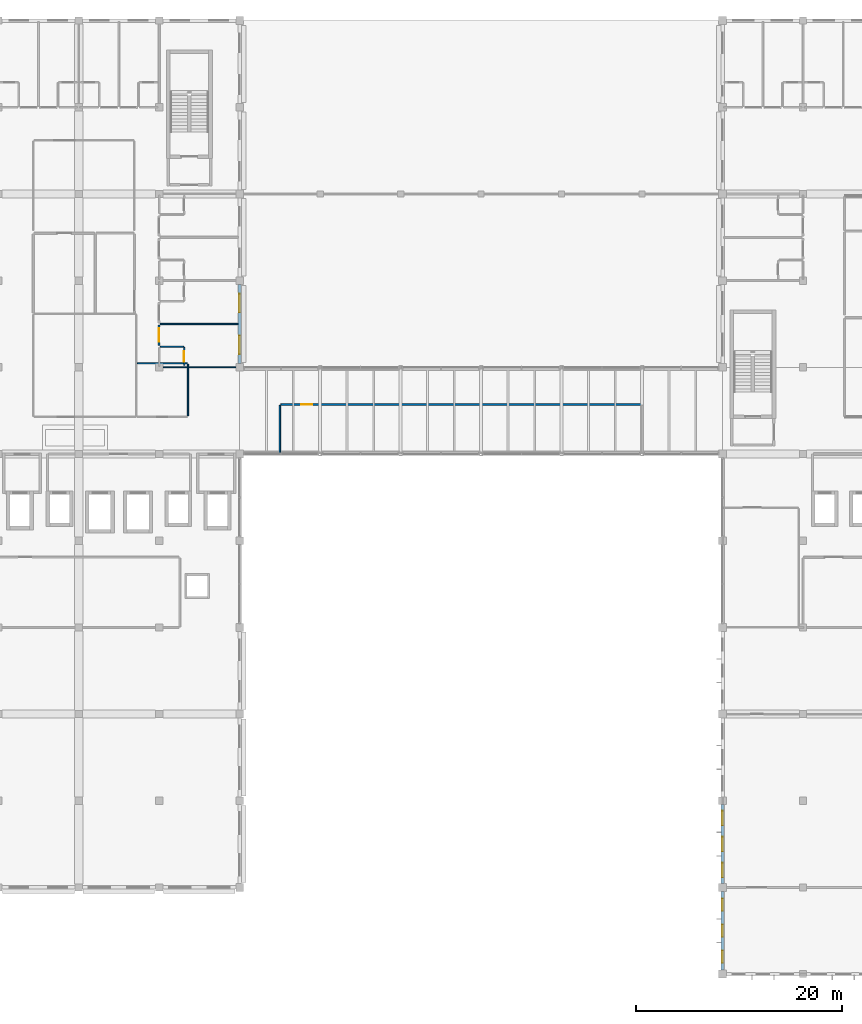
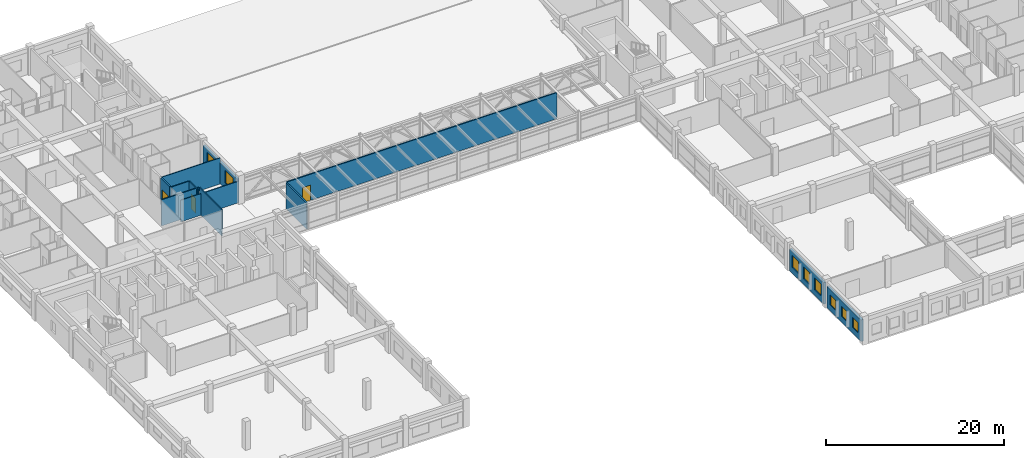
# One storey, part 50 of 72: 12 walls, 8 windows, 3 doors, 11 openings.
"""IFC4 building model written with IfcOpenShell, lengths in metres."""

import ifcopenshell
import ifcopenshell.guid

model = None  # the IFC model being written
_history = None  # IfcOwnerHistory: only IFC2X3 demands one
_inside = {}  # id of a spatial element -> (the spatial element, [elements in it])
_under = {}  # id of a project, library or spatial element -> (it, [spatial elements below it])
_declared = {}  # id of a project -> (the project, [libraries it declares])
_typed = {}  # id of a type object -> (the type object, [elements of that type])
_made_of = {}  # id of a material, layer set ... -> (it, [elements and type objects made of it])


def new_model(schema):
    """Start an empty IFC model of exactly this schema.

    Asked for "IFC4X3", IfcOpenShell would pick the latest addendum, in which some entities
    have other attributes; the version numbers below select the first issue.
    IFC2X3 requires an IfcOwnerHistory on every rooted entity: one is made here for all.
    """
    global model, _history
    if schema == "IFC4X3":
        model = ifcopenshell.file(schema_version=(4, 3, 0, 0))
    else:
        model = ifcopenshell.file(schema=schema)
    _inside.clear()
    _under.clear()
    _declared.clear()
    _typed.clear()
    _made_of.clear()
    _history = None
    if model.schema == "IFC2X3":
        org = make("IfcOrganization", Name="unknown")
        user = make(
            "IfcPersonAndOrganization",
            ThePerson=make("IfcPerson", FamilyName="unknown"),
            TheOrganization=org,
        )
        app = make(
            "IfcApplication",
            ApplicationDeveloper=org,
            Version="unknown",
            ApplicationFullName="unknown",
            ApplicationIdentifier="unknown",
        )
        _history = make(
            "IfcOwnerHistory",
            OwningUser=user,
            OwningApplication=app,
            ChangeAction="ADDED",
            CreationDate=0,
        )
    return model


def make(cls, **values):
    """One entity of the class cls with the attributes given. An attribute that is None is left unset."""
    return model.create_entity(
        cls, **{name: value for name, value in values.items() if value is not None}
    )


def rooted(cls, **values):
    """An entity with a GlobalId (a new one), such as an element, a storey or a relation."""
    return make(cls, GlobalId=ifcopenshell.guid.new(), OwnerHistory=_history, **values)


def si_unit(unit_type, name, prefix=None):
    """IfcSIUnit, for example si_unit("LENGTHUNIT", "METRE", prefix="MILLI")."""
    return make("IfcSIUnit", UnitType=unit_type, Prefix=prefix, Name=name)


def assignment(units):
    """IfcUnitAssignment: the units of a project."""
    return None if units is None else make("IfcUnitAssignment", Units=units)


def point(xyz):
    """IfcCartesianPoint."""
    return None if xyz is None else make("IfcCartesianPoint", Coordinates=xyz)


def direction(xyz):
    """IfcDirection."""
    return None if xyz is None else make("IfcDirection", DirectionRatios=xyz)


def frame(location, z_axis=None, x_axis=None):
    """IfcAxis2Placement3D, a coordinate frame: its origin and axes. An axis left out is left unset."""
    return make(
        "IfcAxis2Placement3D",
        Location=point(location),
        Axis=direction(z_axis),
        RefDirection=direction(x_axis),
    )


def frame_2d(location, x_axis=None):
    """IfcAxis2Placement2D, a coordinate frame in the plane: its origin and x axis."""
    return make(
        "IfcAxis2Placement2D", Location=point(location), RefDirection=direction(x_axis)
    )


def origin():
    """The frame at (0, 0, 0) with its axes left unset."""
    return frame((0.0, 0.0, 0.0))


def place(relative_to, where):
    """IfcLocalPlacement: puts the frame where relative to a parent placement (None: the world)."""
    return make(
        "IfcLocalPlacement", PlacementRelTo=relative_to, RelativePlacement=where
    )


def context(
    kind, dimensions, precision=None, world=None, true_north=None, identifier=None
):
    """IfcGeometricRepresentationContext, for example the 3D "Model" context."""
    return make(
        "IfcGeometricRepresentationContext",
        ContextIdentifier=identifier,
        ContextType=kind,
        CoordinateSpaceDimension=dimensions,
        Precision=precision,
        WorldCoordinateSystem=world,
        TrueNorth=true_north,
    )


def subcontext(parent, identifier, kind, view, scale=None):
    """IfcGeometricRepresentationSubContext, for example "Body" below "Model"."""
    return make(
        "IfcGeometricRepresentationSubContext",
        ContextIdentifier=identifier,
        ContextType=kind,
        ParentContext=parent,
        TargetScale=scale,
        TargetView=view,
    )


def project(units=None, contexts=None):
    """IfcProject with its units and contexts."""
    return rooted(
        "IfcProject",
        Name="project",
        RepresentationContexts=contexts,
        UnitsInContext=assignment(units),
    )


def spatial(cls, under=None, at=None, **own):
    """A site, building, storey or space (cls), placed at a placement, below another one or the project."""
    s = rooted(cls, ObjectPlacement=at, **own)
    if under is not None:
        _under.setdefault(under.id(), (under, []))[1].append(s)
    return s


def profile(cls, at=None, kind="AREA", **sizes):
    """A parametric profile (cls). Its sizes go by their IFC names, for example OverallWidth=200.0."""
    return make(cls, ProfileType=kind, Position=at, **sizes)


def rectangle(**sizes):
    """IfcRectangleProfileDef."""
    return profile("IfcRectangleProfileDef", **sizes)


def extrude(swept, where, along, depth):
    """IfcExtrudedAreaSolid: the profile swept, set in the frame where, extruded along a direction by depth."""
    return make(
        "IfcExtrudedAreaSolid",
        SweptArea=swept,
        Position=where,
        ExtrudedDirection=direction(along),
        Depth=depth,
    )


def shape(context_of_items, identifier, shape_type, items):
    """IfcShapeRepresentation: the items that make up one representation, for example the "Body"."""
    return make(
        "IfcShapeRepresentation",
        ContextOfItems=context_of_items,
        RepresentationIdentifier=identifier,
        RepresentationType=shape_type,
        Items=items,
    )


def material(Name=None, Category=None):
    """IfcMaterial."""
    return make("IfcMaterial", Name=Name, Category=Category)


def layer(
    of_material, thickness, ventilated=None, Name=None, Category=None, Priority=None
):
    """IfcMaterialLayer: one layer of a wall or slab, of a material (None: an air gap)."""
    return make(
        "IfcMaterialLayer",
        Material=of_material,
        LayerThickness=thickness,
        IsVentilated=ventilated,
        Name=Name,
        Category=Category,
        Priority=Priority,
    )


def layer_set(layers, Name=None):
    """IfcMaterialLayerSet."""
    return make("IfcMaterialLayerSet", MaterialLayers=layers, LayerSetName=Name)


def made_of(thing, what):
    """Note that an element or type object is made of a material, layer set ...; save() writes the relation."""
    if what is not None:
        _made_of.setdefault(what.id(), (what, []))[1].append(thing)
    return thing


def type_object(cls, material=None, **own):
    """A type object (cls), such as IfcWallType, which elements share."""
    return made_of(rooted(cls, **own), material)


def element(
    cls,
    number,
    at=None,
    inside=None,
    cuts=None,
    type_object=None,
    material=None,
    context=None,
    identifier="Body",
    shape_type=None,
    held_by="IfcProductDefinitionShape",
    body=None,
    shapes=None,
    **own,
):
    """One element of the class cls, such as IfcWall. Its Tag is "e" and its number.

    at: its placement. inside: the storey or other place that contains it. cuts: it is an
    opening in that element (IfcRelVoidsElement). A single representation is given by context,
    identifier, shape_type and body (its items); several are given by shapes. held_by: the class
    of the entity that holds the representations. save() writes the other relations.
    """
    e = rooted(cls, Tag="e%d" % number, ObjectPlacement=at, **own)
    if body is not None:
        shapes = [shape(context, identifier, shape_type, body)]
    if shapes is not None:
        e.Representation = make(held_by, Representations=shapes)
    if inside is not None:
        _inside.setdefault(inside.id(), (inside, []))[1].append(e)
    if cuts is not None:
        rooted(
            "IfcRelVoidsElement", RelatingBuildingElement=cuts, RelatedOpeningElement=e
        )
    if type_object is not None:
        _typed.setdefault(type_object.id(), (type_object, []))[1].append(e)
    return made_of(e, material)


def fill(opening, filler):
    """IfcRelFillsElement: the door or window that sits in an opening."""
    return rooted(
        "IfcRelFillsElement",
        RelatingOpeningElement=opening,
        RelatedBuildingElement=filler,
    )


def aggregate(whole, parts):
    """IfcRelAggregates: a whole, such as a stair, and the parts it consists of."""
    return rooted("IfcRelAggregates", RelatingObject=whole, RelatedObjects=parts)


def save(model, path):
    """Write the relations noted so far, then the file.

    IfcRelAggregates (storeys below a building ...), IfcRelContainedInSpatialStructure (elements
    in a storey), IfcRelDefinesByType, IfcRelAssociatesMaterial and IfcRelDeclares: one each for
    every whole, place, type object, material and project.
    """
    for whole, parts in _under.values():
        aggregate(whole, parts)
    for where, things in _inside.values():
        rooted(
            "IfcRelContainedInSpatialStructure",
            RelatedElements=things,
            RelatingStructure=where,
        )
    for kind, things in _typed.values():
        rooted("IfcRelDefinesByType", RelatedObjects=things, RelatingType=kind)
    for what, things in _made_of.values():
        rooted("IfcRelAssociatesMaterial", RelatedObjects=things, RelatingMaterial=what)
    for by, libraries in _declared.values():
        rooted("IfcRelDeclares", RelatingContext=by, RelatedDefinitions=libraries)
    model.write(path)


model = new_model("IFC4")

# Units and contexts
model_context = context("Model", 3, precision=1e-05, world=origin(), true_north=direction((0.0, 1.0)))
body_context = subcontext(model_context, "Body", "Model", "MODEL_VIEW")
ifc_project = project(units=[si_unit("LENGTHUNIT", "METRE"), si_unit("AREAUNIT", "SQUARE_METRE"), si_unit("VOLUMEUNIT", "CUBIC_METRE"), si_unit("PLANEANGLEUNIT", "RADIAN"), si_unit("MASSUNIT", "GRAM", prefix="KILO"), si_unit("THERMODYNAMICTEMPERATUREUNIT", "KELVIN"), si_unit("POWERUNIT", "WATT")], contexts=[model_context])

# Site, building, storey
site_placement = place(None, origin())
site = spatial("IfcSite", under=ifc_project, at=site_placement, CompositionType="ELEMENT")
building_placement = place(site_placement, origin())
building = spatial("IfcBuilding", under=site, at=building_placement, Name="Srebrne Nadtorze General Hospital", CompositionType="ELEMENT")
storey_placement = place(building_placement, frame((0.0, 0.0, 22.199951171875)))
storey = spatial("IfcBuildingStorey", under=building, at=storey_placement, Name="L05", CompositionType="ELEMENT", Elevation=22.199951171875)

# Wall, opening, door
ifc_material_1 = material(Name="Gypsum Healthcare Partition")
ifc_layer_1 = layer(ifc_material_1, 0.159912109375)
ifc_layer_set_1 = layer_set([ifc_layer_1], Name="Gypsum Healthcare Partition")
wall_type_1 = type_object("IfcWallType", Name="Clinical partition 160", PredefinedType="PARTITIONING", material=ifc_layer_set_1)
wall_1_placement = place(storey_placement, frame((58.5849609375, 55.199951171875, 0.0), z_axis=(0.0, 0.0, 1.0), x_axis=(1.0, 0.0, 0.0)))
wall_1 = element("IfcWall", 1, at=wall_1_placement, inside=storey, type_object=wall_type_1, Name="Patient Wintergarden Day Lounge wall WL-INT-L05-2175", PredefinedType="PARTITIONING", context=body_context, shape_type="SweptSolid", body=[
    extrude(rectangle(XDim=34.929931640625, YDim=0.159912109375, at=frame_2d((17.46484375, 0.0))), origin(), (0.0, 0.0, 1.0), 3.580078125),
])
opening_1_placement = place(wall_1_placement, frame((1.987060546875, 0.0, 0.0)))
opening_1 = element("IfcOpeningElement", 2, at=opening_1_placement, cuts=wall_1, Name="Opening D-L05-0468", PredefinedType="OPENING", context=body_context, shape_type="SweptSolid", body=[
    extrude(rectangle(XDim=1.050048828125, YDim=2.10009765625, at=frame_2d((0.52490234375, 1.050048828125))), frame((0.0, 0.091796875, 0.0), z_axis=(0.0, -1.0, 0.0), x_axis=(1.0, 0.0, 0.0)), (0.0, 0.0, 1.0), 0.183837890625),
])
ifc_material_2 = material(Name="Anodised Aluminium", Category="aluminium")
door_type_1 = type_object("IfcDoorType", Name="Single leaf door 1050x2100", OperationType="NOTDEFINED", PredefinedType="DOOR", material=ifc_material_2)
door_1_placement = place(opening_1_placement, frame((1.050048828125, 0.0, 0.0), z_axis=(0.0, 0.0, 1.0), x_axis=(-1.0, 0.0, 0.0)))
door_1 = element("IfcDoor", 3, at=door_1_placement, inside=storey, type_object=door_type_1, Name="Patient Wintergarden Day Lounge door D-L05-0468", OperationType="SINGLE_SWING_RIGHT", OverallHeight=2.10009765625, OverallWidth=1.050048828125, PredefinedType="DOOR", context=body_context, shape_type="SweptSolid", body=[
    extrude(rectangle(XDim=1.050048828125, YDim=2.10009765625, at=frame_2d((0.52490234375, 1.050048828125))), frame((0.0, 0.02490234375, 0.0), z_axis=(0.0, -1.0, 0.0), x_axis=(1.0, 0.0, 0.0)), (0.0, 0.0, 1.0), 0.050048828125),
])
fill(opening_1, door_1)

# Wall
wall_2_placement = place(storey_placement, frame((58.5, 50.485107421875, 0.0), z_axis=(0.0, 0.0, 1.0), x_axis=(0.0, 1.0, 0.0)))
element("IfcWall", 4, at=wall_2_placement, inside=storey, type_object=wall_type_1, Name="Patient Wintergarden Day Lounge wall WL-INT-L05-2176", PredefinedType="PARTITIONING", context=body_context, shape_type="SweptSolid", body=[
    extrude(rectangle(XDim=4.6298828125, YDim=0.159912109375, at=frame_2d((2.31494140625, 0.0))), origin(), (0.0, 0.0, 1.0), 3.580078125),
])

# Wall, opening, door
ifc_material_3 = material(Name="Gypsum Healthcare Partition")
ifc_layer_2 = layer(ifc_material_3, 0.199951171875)
ifc_layer_set_2 = layer_set([ifc_layer_2], Name="Gypsum Healthcare Partition")
wall_type_2 = type_object("IfcWallType", Name="Compartment wall 200", PredefinedType="STANDARD", material=ifc_layer_set_2)
wall_3_placement = place(storey_placement, frame((46.800048828125, 60.919921875, 0.0), z_axis=(0.0, 0.0, 1.0), x_axis=(0.0, 1.0, 0.0)))
wall_3 = element("IfcWall", 5, at=wall_3_placement, inside=storey, type_object=wall_type_2, Name="Ward corridor wall WL-INT-L05-1985", PredefinedType="STANDARD", context=body_context, shape_type="SweptSolid", body=[
    extrude(rectangle(XDim=1.9599609375, YDim=0.199951171875, at=frame_2d((0.97998046875, 0.0))), origin(), (0.0, 0.0, 1.0), 3.580078125),
])
opening_2_placement = place(wall_3_placement, frame((0.340087890625, 0.0, 0.0)))
opening_2 = element("IfcOpeningElement", 6, at=opening_2_placement, cuts=wall_3, Name="Opening D-L05-0398", PredefinedType="OPENING", context=body_context, shape_type="SweptSolid", body=[
    extrude(rectangle(XDim=1.320068359375, YDim=2.199951171875, at=frame_2d((0.66015625, 1.10009765625))), frame((0.0, 0.11181640625, 0.0), z_axis=(0.0, -1.0, 0.0), x_axis=(1.0, 0.0, 0.0)), (0.0, 0.0, 1.0), 0.223876953125),
])
ifc_material_4 = material(Name="Anodised Aluminium", Category="aluminium")
door_type_2 = type_object("IfcDoorType", Name="Single leaf door 1320x2200", OperationType="NOTDEFINED", PredefinedType="DOOR", material=ifc_material_4)
door_2_placement = place(opening_2_placement, frame((1.320068359375, 0.0, 0.0), z_axis=(0.0, 0.0, 1.0), x_axis=(-1.0, 0.0, 0.0)))
door_2 = element("IfcDoor", 7, at=door_2_placement, inside=storey, type_object=door_type_2, Name="Ward patient room door D-L05-0398", OperationType="SINGLE_SWING_RIGHT", OverallHeight=2.199951171875, OverallWidth=1.320068359375, PredefinedType="DOOR", context=body_context, shape_type="SweptSolid", body=[
    extrude(rectangle(XDim=1.320068359375, YDim=2.199951171875, at=frame_2d((0.66015625, 1.10009765625))), frame((0.0, 0.02490234375, 0.0), z_axis=(0.0, -1.0, 0.0), x_axis=(1.0, 0.0, 0.0)), (0.0, 0.0, 1.0), 0.050048828125),
])
fill(opening_2, door_2)

# Wall
ifc_material_5 = material(Name="Gypsum Healthcare Partition")
ifc_layer_3 = layer(ifc_material_5, 0.1201171875)
ifc_layer_set_3 = layer_set([ifc_layer_3], Name="Gypsum Healthcare Partition")
wall_type_3 = type_object("IfcWallType", Name="En-suite partition 120", PredefinedType="PARTITIONING", material=ifc_layer_set_3)
wall_4_placement = place(storey_placement, frame((46.919921875, 60.800048828125, 0.0), z_axis=(0.0, 0.0, 1.0), x_axis=(1.0, 0.0, 0.0)))
element("IfcWall", 8, at=wall_4_placement, inside=storey, type_object=wall_type_3, Name="En-suite wet wall WL-INT-L05-1987", PredefinedType="PARTITIONING", context=body_context, shape_type="SweptSolid", body=[
    extrude(rectangle(XDim=2.239990234375, YDim=0.1201171875, at=frame_2d((1.1201171875, 0.0))), origin(), (0.0, 0.0, 1.0), 3.580078125),
])

# Wall, opening, door
wall_5_placement = place(storey_placement, frame((49.219970703125, 58.97998046875, 0.0), z_axis=(0.0, 0.0, 1.0), x_axis=(0.0, 1.0, 0.0)))
wall_5 = element("IfcWall", 9, at=wall_5_placement, inside=storey, type_object=wall_type_3, Name="En-suite wet wall WL-INT-L05-1988", PredefinedType="PARTITIONING", context=body_context, shape_type="SweptSolid", body=[
    extrude(rectangle(XDim=1.760009765625, YDim=0.1201171875, at=frame_2d((0.8798828125, 0.0))), origin(), (0.0, 0.0, 1.0), 3.580078125),
])
opening_3_placement = place(wall_5_placement, frame((0.3798828125, 0.0, 0.0)))
opening_3 = element("IfcOpeningElement", 10, at=opening_3_placement, cuts=wall_5, Name="Opening D-L05-0399", PredefinedType="OPENING", context=body_context, shape_type="SweptSolid", body=[
    extrude(rectangle(XDim=1.0, YDim=2.10009765625, at=frame_2d((0.5, 1.050048828125))), frame((0.0, 0.072021484375, 0.0), z_axis=(0.0, -1.0, 0.0), x_axis=(1.0, 0.0, 0.0)), (0.0, 0.0, 1.0), 0.14404296875),
])
ifc_material_6 = material(Name="Anodised Aluminium", Category="aluminium")
door_type_3 = type_object("IfcDoorType", Name="Single leaf door 1000x2100", OperationType="NOTDEFINED", PredefinedType="DOOR", material=ifc_material_6)
door_3_placement = place(opening_3_placement, origin())
door_3 = element("IfcDoor", 11, at=door_3_placement, inside=storey, type_object=door_type_3, Name="En-suite bathroom door D-L05-0399", OperationType="SINGLE_SWING_LEFT", OverallHeight=2.10009765625, OverallWidth=1.0, PredefinedType="DOOR", context=body_context, shape_type="SweptSolid", body=[
    extrude(rectangle(XDim=1.0, YDim=2.10009765625, at=frame_2d((0.5, 1.050048828125))), frame((0.0, 0.02490234375, 0.0), z_axis=(0.0, -1.0, 0.0), x_axis=(1.0, 0.0, 0.0)), (0.0, 0.0, 1.0), 0.050048828125),
])
fill(opening_3, door_3)

# Walls
wall_6_placement = place(storey_placement, frame((44.68505859375, 59.199951171875, 0.0), z_axis=(0.0, 0.0, 1.0), x_axis=(1.0, 0.0, 0.0)))
element("IfcWall", 12, at=wall_6_placement, inside=storey, type_object=wall_type_3, Name="Accessible WC wall WL-INT-L05-2119", PredefinedType="PARTITIONING", context=body_context, shape_type="SweptSolid", body=[
    extrude(rectangle(XDim=4.829833984375, YDim=0.1201171875, at=frame_2d((2.4150390625, 0.0))), origin(), (0.0, 0.0, 1.0), 3.580078125),
])
wall_7_placement = place(storey_placement, frame((49.60009765625, 54.0849609375, 0.0), z_axis=(0.0, 0.0, 1.0), x_axis=(0.0, 1.0, 0.0)))
element("IfcWall", 13, at=wall_7_placement, inside=storey, type_object=wall_type_3, Name="Accessible WC wall WL-INT-L05-2120", PredefinedType="PARTITIONING", context=body_context, shape_type="SweptSolid", body=[
    extrude(rectangle(XDim=5.030029296875, YDim=0.1201171875, at=frame_2d((2.51513671875, 0.0))), origin(), (0.0, 0.0, 1.0), 3.580078125),
])

# Wall, openings, windows
ifc_material_7 = material(Name="Concrete C40/50 precast", Category="concrete")
ifc_layer_4 = layer(ifc_material_7, 0.300048828125)
ifc_layer_set_4 = layer_set([ifc_layer_4], Name="Concrete C40/50 precast")
wall_type_4 = type_object("IfcWallType", Name="Limestone precast wall 300", PredefinedType="STANDARD", material=ifc_layer_set_4)
wall_8_placement = place(storey_placement, frame((101.39990234375, 0.375, 0.0), z_axis=(0.0, 0.0, 1.0), x_axis=(0.0, 1.0, 0.0)))
wall_8 = element("IfcWall", 14, at=wall_8_placement, inside=storey, type_object=wall_type_4, Name="Exterior wall WL-ENV-L05-0441", PredefinedType="STANDARD", context=body_context, shape_type="SweptSolid", body=[
    extrude(rectangle(XDim=7.64990234375, YDim=0.300048828125, at=frame_2d((3.824951171875, 0.0))), origin(), (0.0, 0.0, 1.0), 2.949951171875),
])
opening_4_placement = place(wall_8_placement, frame((0.705078125, 0.0, 0.800048828125)))
opening_4 = element("IfcOpeningElement", 15, at=opening_4_placement, cuts=wall_8, Name="Opening WN-L05-0709", PredefinedType="OPENING", context=body_context, shape_type="SweptSolid", body=[
    extrude(rectangle(XDim=1.199951171875, YDim=1.39990234375, at=frame_2d((0.60009765625, 0.699951171875))), frame((0.0, 0.162109375, 0.0), z_axis=(0.0, -1.0, 0.0), x_axis=(1.0, 0.0, 0.0)), (0.0, 0.0, 1.0), 0.323974609375),
])
opening_5_placement = place(wall_8_placement, frame((3.22509765625, 0.0, 0.800048828125)))
opening_5 = element("IfcOpeningElement", 16, at=opening_5_placement, cuts=wall_8, Name="Opening WN-L05-0710", PredefinedType="OPENING", context=body_context, shape_type="SweptSolid", body=[
    extrude(rectangle(XDim=1.199951171875, YDim=1.39990234375, at=frame_2d((0.60009765625, 0.699951171875))), frame((0.0, 0.162109375, 0.0), z_axis=(0.0, -1.0, 0.0), x_axis=(1.0, 0.0, 0.0)), (0.0, 0.0, 1.0), 0.323974609375),
])
opening_6_placement = place(wall_8_placement, frame((5.7451171875, 0.0, 0.800048828125)))
opening_6 = element("IfcOpeningElement", 17, at=opening_6_placement, cuts=wall_8, Name="Opening WN-L05-0711", PredefinedType="OPENING", context=body_context, shape_type="SweptSolid", body=[
    extrude(rectangle(XDim=1.199951171875, YDim=1.39990234375, at=frame_2d((0.60009765625, 0.699951171875))), frame((0.0, 0.162109375, 0.0), z_axis=(0.0, -1.0, 0.0), x_axis=(1.0, 0.0, 0.0)), (0.0, 0.0, 1.0), 0.323974609375),
])
ifc_material_8 = material(Name="Triple Low-E Glazing", Category="glass")
window_type_1 = type_object("IfcWindowType", Name="Punched clinical window 1200x1400", PartitioningType="SINGLE_PANEL", PredefinedType="WINDOW", material=ifc_material_8)
window_1_placement = place(opening_4_placement, origin())
window_1 = element("IfcWindow", 18, at=window_1_placement, inside=storey, type_object=window_type_1, Name="Clinical window WN-L05-0709", OverallHeight=1.39990234375, OverallWidth=1.199951171875, PartitioningType="SINGLE_PANEL", PredefinedType="WINDOW", context=body_context, shape_type="SweptSolid", body=[
    extrude(rectangle(XDim=1.199951171875, YDim=1.39990234375, at=frame_2d((0.60009765625, 0.699951171875))), frame((0.0, 0.030029296875, 0.0), z_axis=(0.0, -1.0, 0.0), x_axis=(1.0, 0.0, 0.0)), (0.0, 0.0, 1.0), 0.06005859375),
])
fill(opening_4, window_1)
window_2_placement = place(opening_5_placement, origin())
window_2 = element("IfcWindow", 19, at=window_2_placement, inside=storey, type_object=window_type_1, Name="Clinical window WN-L05-0710", OverallHeight=1.39990234375, OverallWidth=1.199951171875, PartitioningType="SINGLE_PANEL", PredefinedType="WINDOW", context=body_context, shape_type="SweptSolid", body=[
    extrude(rectangle(XDim=1.199951171875, YDim=1.39990234375, at=frame_2d((0.60009765625, 0.699951171875))), frame((0.0, 0.030029296875, 0.0), z_axis=(0.0, -1.0, 0.0), x_axis=(1.0, 0.0, 0.0)), (0.0, 0.0, 1.0), 0.06005859375),
])
fill(opening_5, window_2)
window_3_placement = place(opening_6_placement, origin())
window_3 = element("IfcWindow", 20, at=window_3_placement, inside=storey, type_object=window_type_1, Name="Clinical window WN-L05-0711", OverallHeight=1.39990234375, OverallWidth=1.199951171875, PartitioningType="SINGLE_PANEL", PredefinedType="WINDOW", context=body_context, shape_type="SweptSolid", body=[
    extrude(rectangle(XDim=1.199951171875, YDim=1.39990234375, at=frame_2d((0.60009765625, 0.699951171875))), frame((0.0, 0.030029296875, 0.0), z_axis=(0.0, -1.0, 0.0), x_axis=(1.0, 0.0, 0.0)), (0.0, 0.0, 1.0), 0.06005859375),
])
fill(opening_6, window_3)

wall_9_placement = place(storey_placement, frame((101.39990234375, 8.77490234375, 0.0), z_axis=(0.0, 0.0, 1.0), x_axis=(0.0, 1.0, 0.0)))
wall_9 = element("IfcWall", 21, at=wall_9_placement, inside=storey, type_object=wall_type_4, Name="Exterior wall WL-ENV-L05-0442", PredefinedType="STANDARD", context=body_context, shape_type="SweptSolid", body=[
    extrude(rectangle(XDim=7.650146484375, YDim=0.300048828125, at=frame_2d((3.8251953125, 0.0))), origin(), (0.0, 0.0, 1.0), 2.949951171875),
])
opening_7_placement = place(wall_9_placement, frame((0.60498046875, 0.0, 0.800048828125)))
opening_7 = element("IfcOpeningElement", 22, at=opening_7_placement, cuts=wall_9, Name="Opening WN-L05-0712", PredefinedType="OPENING", context=body_context, shape_type="SweptSolid", body=[
    extrude(rectangle(XDim=1.39990234375, YDim=1.60009765625, at=frame_2d((0.699951171875, 0.800048828125))), frame((0.0, 0.162109375, 0.0), z_axis=(0.0, -1.0, 0.0), x_axis=(1.0, 0.0, 0.0)), (0.0, 0.0, 1.0), 0.323974609375),
])
opening_8_placement = place(wall_9_placement, frame((3.125, 0.0, 0.800048828125)))
opening_8 = element("IfcOpeningElement", 23, at=opening_8_placement, cuts=wall_9, Name="Opening WN-L05-0713", PredefinedType="OPENING", context=body_context, shape_type="SweptSolid", body=[
    extrude(rectangle(XDim=1.39990234375, YDim=1.60009765625, at=frame_2d((0.699951171875, 0.800048828125))), frame((0.0, 0.162109375, 0.0), z_axis=(0.0, -1.0, 0.0), x_axis=(1.0, 0.0, 0.0)), (0.0, 0.0, 1.0), 0.323974609375),
])
opening_9_placement = place(wall_9_placement, frame((5.64501953125, 0.0, 0.800048828125)))
opening_9 = element("IfcOpeningElement", 24, at=opening_9_placement, cuts=wall_9, Name="Opening WN-L05-0714", PredefinedType="OPENING", context=body_context, shape_type="SweptSolid", body=[
    extrude(rectangle(XDim=1.39990234375, YDim=1.60009765625, at=frame_2d((0.699951171875, 0.800048828125))), frame((0.0, 0.162109375, 0.0), z_axis=(0.0, -1.0, 0.0), x_axis=(1.0, 0.0, 0.0)), (0.0, 0.0, 1.0), 0.323974609375),
])
ifc_material_9 = material(Name="Triple Low-E Glazing", Category="glass")
window_type_2 = type_object("IfcWindowType", Name="Punched clinical window 1400x1600", PartitioningType="SINGLE_PANEL", PredefinedType="WINDOW", material=ifc_material_9)
window_4_placement = place(opening_7_placement, origin())
window_4 = element("IfcWindow", 25, at=window_4_placement, inside=storey, type_object=window_type_2, Name="Clinical window WN-L05-0712", OverallHeight=1.60009765625, OverallWidth=1.39990234375, PartitioningType="SINGLE_PANEL", PredefinedType="WINDOW", context=body_context, shape_type="SweptSolid", body=[
    extrude(rectangle(XDim=1.39990234375, YDim=1.60009765625, at=frame_2d((0.699951171875, 0.800048828125))), frame((0.0, 0.030029296875, 0.0), z_axis=(0.0, -1.0, 0.0), x_axis=(1.0, 0.0, 0.0)), (0.0, 0.0, 1.0), 0.06005859375),
])
fill(opening_7, window_4)
window_5_placement = place(opening_8_placement, origin())
window_5 = element("IfcWindow", 26, at=window_5_placement, inside=storey, type_object=window_type_2, Name="Clinical window WN-L05-0713", OverallHeight=1.60009765625, OverallWidth=1.39990234375, PartitioningType="SINGLE_PANEL", PredefinedType="WINDOW", context=body_context, shape_type="SweptSolid", body=[
    extrude(rectangle(XDim=1.39990234375, YDim=1.60009765625, at=frame_2d((0.699951171875, 0.800048828125))), frame((0.0, 0.030029296875, 0.0), z_axis=(0.0, -1.0, 0.0), x_axis=(1.0, 0.0, 0.0)), (0.0, 0.0, 1.0), 0.06005859375),
])
fill(opening_8, window_5)
window_6_placement = place(opening_9_placement, origin())
window_6 = element("IfcWindow", 27, at=window_6_placement, inside=storey, type_object=window_type_2, Name="Clinical window WN-L05-0714", OverallHeight=1.60009765625, OverallWidth=1.39990234375, PartitioningType="SINGLE_PANEL", PredefinedType="WINDOW", context=body_context, shape_type="SweptSolid", body=[
    extrude(rectangle(XDim=1.39990234375, YDim=1.60009765625, at=frame_2d((0.699951171875, 0.800048828125))), frame((0.0, 0.030029296875, 0.0), z_axis=(0.0, -1.0, 0.0), x_axis=(1.0, 0.0, 0.0)), (0.0, 0.0, 1.0), 0.06005859375),
])
fill(opening_9, window_6)

# Walls
ifc_material_10 = material(Name="Gypsum Healthcare Partition")
ifc_layer_5 = layer(ifc_material_10, 0.10009765625)
ifc_layer_set_5 = layer_set([ifc_layer_5], Name="Gypsum Healthcare Partition")
wall_type_5 = type_object("IfcWallType", Name="Shaft lining wall 100", PredefinedType="PARTITIONING", material=ifc_layer_set_5)
wall_10_placement = place(storey_placement, frame((46.919921875, 58.800048828125, 0.0), z_axis=(0.0, 0.0, 1.0), x_axis=(1.0, 0.0, 0.0)))
element("IfcWall", 28, at=wall_10_placement, inside=storey, type_object=wall_type_5, Name="Ward inter-room partition WL-INT-L05-1983", PredefinedType="PARTITIONING", context=body_context, shape_type="SweptSolid", body=[
    extrude(rectangle(XDim=7.56005859375, YDim=0.10009765625, at=frame_2d((3.780029296875, 0.0))), origin(), (0.0, 0.0, 1.0), 2.949951171875),
])
wall_11_placement = place(storey_placement, frame((46.919921875, 63.0, 0.0), z_axis=(0.0, 0.0, 1.0), x_axis=(1.0, 0.0, 0.0)))
element("IfcWall", 29, at=wall_11_placement, inside=storey, type_object=wall_type_5, Name="Ward inter-room partition WL-INT-L05-1984", PredefinedType="PARTITIONING", context=body_context, shape_type="SweptSolid", body=[
    extrude(rectangle(XDim=7.56005859375, YDim=0.10009765625, at=frame_2d((3.780029296875, 0.0))), origin(), (0.0, 0.0, 1.0), 3.580078125),
])

# Wall, openings, windows
ifc_material_11 = material(Name="Concrete C35/45 precast", Category="concrete")
ifc_layer_6 = layer(ifc_material_11, 0.280029296875)
ifc_layer_set_6 = layer_set([ifc_layer_6], Name="Concrete C35/45 precast")
wall_type_6 = type_object("IfcWallType", Name="Spandrel wall 280", PredefinedType="STANDARD", material=ifc_layer_set_6)
wall_12_placement = place(storey_placement, frame((54.60009765625, 59.175048828125, 0.0), z_axis=(0.0, 0.0, 1.0), x_axis=(0.0, 1.0, 0.0)))
wall_12 = element("IfcWall", 30, at=wall_12_placement, inside=storey, type_object=wall_type_6, Name="Exterior wall WL-ENV-L05-0437", PredefinedType="STANDARD", context=body_context, shape_type="SweptSolid", body=[
    extrude(rectangle(XDim=7.64990234375, YDim=0.280029296875, at=frame_2d((3.824951171875, 0.0))), origin(), (0.0, 0.0, 1.0), 2.949951171875),
])
opening_10_placement = place(wall_12_placement, frame((0.908935546875, 0.0, 0.800048828125)))
opening_10 = element("IfcOpeningElement", 31, at=opening_10_placement, cuts=wall_12, Name="Opening WN-L05-0701", PredefinedType="OPENING", context=body_context, shape_type="SweptSolid", body=[
    extrude(rectangle(XDim=1.800048828125, YDim=1.75, at=frame_2d((0.89990234375, 0.875))), frame((0.0, 0.15185546875, 0.0), z_axis=(0.0, -1.0, 0.0), x_axis=(1.0, 0.0, 0.0)), (0.0, 0.0, 1.0), 0.303955078125),
])
opening_11_placement = place(wall_12_placement, frame((4.94091796875, 0.0, 0.800048828125)))
opening_11 = element("IfcOpeningElement", 32, at=opening_11_placement, cuts=wall_12, Name="Opening WN-L05-0702", PredefinedType="OPENING", context=body_context, shape_type="SweptSolid", body=[
    extrude(rectangle(XDim=1.800048828125, YDim=1.75, at=frame_2d((0.89990234375, 0.875))), frame((0.0, 0.15185546875, 0.0), z_axis=(0.0, -1.0, 0.0), x_axis=(1.0, 0.0, 0.0)), (0.0, 0.0, 1.0), 0.303955078125),
])
ifc_material_12 = material(Name="Triple Low-E Glazing", Category="glass")
window_type_3 = type_object("IfcWindowType", Name="Punched clinical window 1800x1750", PartitioningType="DOUBLE_PANEL_VERTICAL", PredefinedType="WINDOW", material=ifc_material_12)
window_7_placement = place(opening_10_placement, origin())
window_7 = element("IfcWindow", 33, at=window_7_placement, inside=storey, type_object=window_type_3, Name="Clinical window WN-L05-0701", OverallHeight=1.75, OverallWidth=1.800048828125, PartitioningType="DOUBLE_PANEL_VERTICAL", PredefinedType="WINDOW", context=body_context, shape_type="SweptSolid", body=[
    extrude(rectangle(XDim=1.800048828125, YDim=1.75, at=frame_2d((0.89990234375, 0.875))), frame((0.0, 0.030029296875, 0.0), z_axis=(0.0, -1.0, 0.0), x_axis=(1.0, 0.0, 0.0)), (0.0, 0.0, 1.0), 0.06005859375),
])
fill(opening_10, window_7)
window_8_placement = place(opening_11_placement, origin())
window_8 = element("IfcWindow", 34, at=window_8_placement, inside=storey, type_object=window_type_3, Name="Clinical window WN-L05-0702", OverallHeight=1.75, OverallWidth=1.800048828125, PartitioningType="DOUBLE_PANEL_VERTICAL", PredefinedType="WINDOW", context=body_context, shape_type="SweptSolid", body=[
    extrude(rectangle(XDim=1.800048828125, YDim=1.75, at=frame_2d((0.89990234375, 0.875))), frame((0.0, 0.030029296875, 0.0), z_axis=(0.0, -1.0, 0.0), x_axis=(1.0, 0.0, 0.0)), (0.0, 0.0, 1.0), 0.06005859375),
])
fill(opening_11, window_8)

save(model, "model.ifc")
